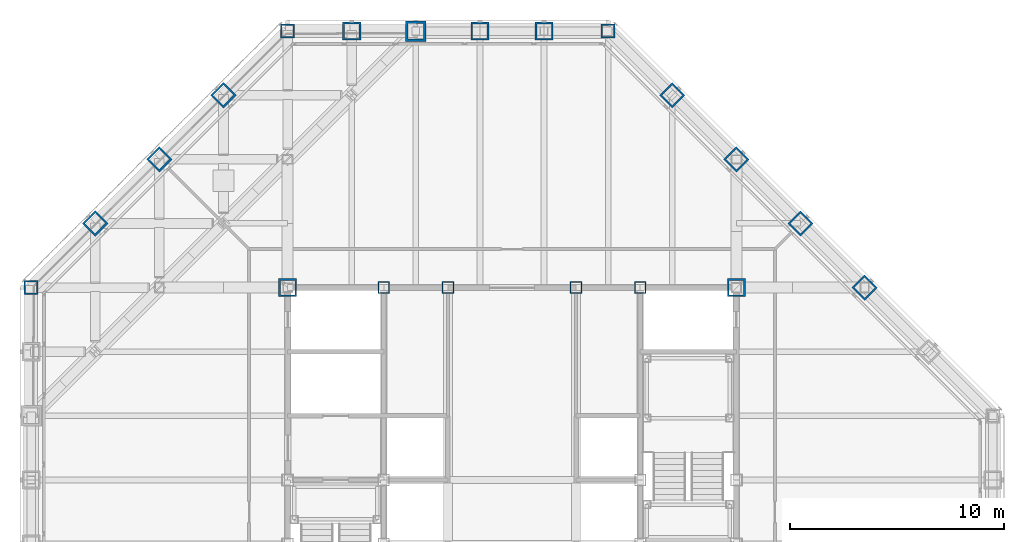
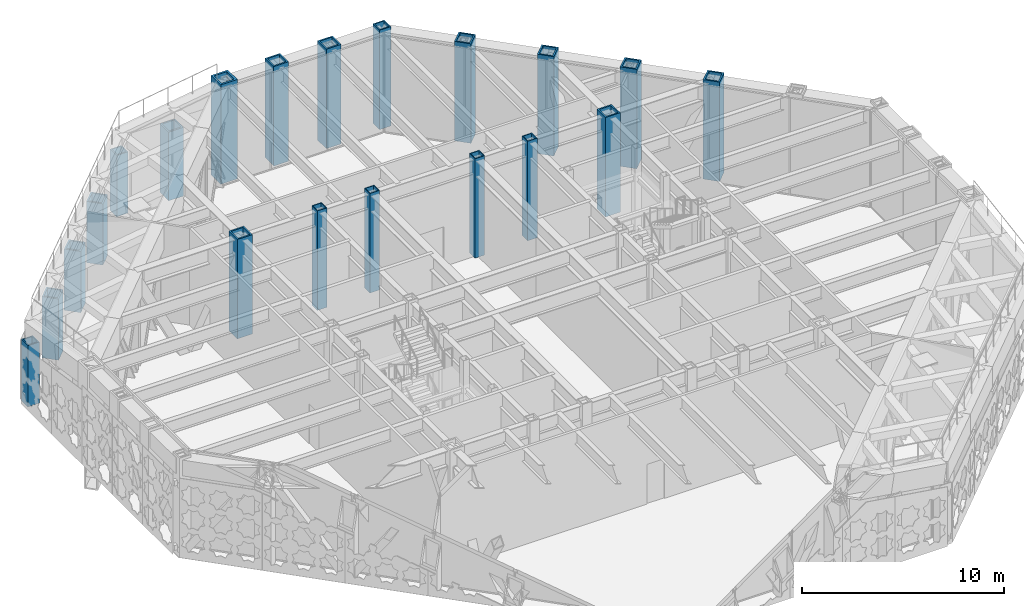
# One storey, part 4 of 29: 20 columns.
"""IFC4 building model written with IfcOpenShell, lengths in metres."""

from ifc_helpers import new_model, si_unit, direction, frame, origin, origin_2d, place, context, subcontext, project, spatial, hollow_rectangle, extrude, material, material_profile, profile_set, type_object, element, save


model = new_model("IFC4")

# Units and contexts
model_context = context("Model", 3, precision=1e-05, world=origin(), true_north=direction((0.0, 1.0)))
body_context = subcontext(model_context, "Body", "Model", "MODEL_VIEW")
ifc_project = project(units=[si_unit("LENGTHUNIT", "METRE"), si_unit("AREAUNIT", "SQUARE_METRE"), si_unit("VOLUMEUNIT", "CUBIC_METRE"), si_unit("PLANEANGLEUNIT", "RADIAN"), si_unit("MASSUNIT", "GRAM", prefix="KILO")], contexts=[model_context])

# Site, building, storey
site_placement = place(None, origin())
site = spatial("IfcSite", under=ifc_project, at=site_placement, CompositionType="ELEMENT")
building_placement = place(site_placement, origin())
building = spatial("IfcBuilding", under=site, at=building_placement, Name="Chuquiago Exchange Tower", CompositionType="ELEMENT")
storey_placement = place(building_placement, frame((0.0, 0.0, 251.699951171875)))
storey = spatial("IfcBuildingStorey", under=building, at=storey_placement, Name="L56", CompositionType="ELEMENT", Elevation=251.699951171875)

# Columns
ifc_material_1 = material(Name="Steel ASTM A572 Grade 50", Category="steel")
ifc_material_profile_1 = material_profile(ifc_material_1, hollow_rectangle(XDim=0.85009765625, YDim=0.85009765625, WallThickness=0.0849609375, at=origin_2d()), Name="BOX850X850X85")
ifc_profile_set_1 = profile_set([ifc_material_profile_1], Name="Steel ASTM A572 Grade 50")
column_type_1 = type_object("IfcColumnType", Name="C6 BOX850X850X85", PredefinedType="COLUMN", material=ifc_profile_set_1)
for number, where, z_axis, x_axis, name in (
    (1, (39.0, 33.0, 0.0), (0.0, 0.0, 1.0), (0.707106781187, 0.707106781187, 0.0), "COL-L56-39_33"),
    (2, (36.0, 36.0, 0.0), (0.0, 0.0, 1.0), (0.707106781187, 0.707106781187, 0.0), "COL-L56-36_36"),
    (3, (33.0, 39.0, 0.0), (0.0, 0.0, 1.0), (0.707106781187, 0.707106781187, 0.0), "COL-L56-33_39"),
    (4, (30.0, 42.0, 0.0), (0.0, 0.0, 1.0), (0.707106781187, 0.707106781187, 0.0), "COL-L56-30_42"),
    (5, (24.0, 45.0, 0.0), (0.0, 0.0, 1.0), (0.0, 1.0, 0.0), "COL-L56-24_45"),
    (6, (21.0, 45.0, 0.0), (0.0, 0.0, 1.0), (0.0, 1.0, 0.0), "COL-L56-21_45"),
):
    element("IfcColumn", number, at=place(storey_placement, frame(where, z_axis=z_axis, x_axis=x_axis)), inside=storey, type_object=column_type_1, Name=name, PredefinedType="COLUMN", context=body_context, shape_type="SweptSolid", body=[
        extrude(hollow_rectangle(XDim=0.85009765625, YDim=0.85009765625, WallThickness=0.0849609375, at=origin_2d()), origin(), (0.0, 0.0, 1.0), 6.0),
    ])
column_1_placement = place(storey_placement, frame((15.0, 45.0, 0.0), z_axis=(0.0, 0.0, 1.0), x_axis=(0.0, 1.0, 0.0)))
element("IfcColumn", 7, at=column_1_placement, inside=storey, type_object=column_type_1, Name="COL-L56-15_45", PredefinedType="COLUMN", context=body_context, shape_type="SweptSolid", body=[
    extrude(hollow_rectangle(XDim=0.85009765625, YDim=0.85009765625, WallThickness=0.0849609375, at=origin_2d()), origin(), (0.0, 0.0, 1.0), 4.149169921875),
])
for number, where, z_axis, x_axis, name in (
    (8, (9.0, 42.0, 0.0), (0.0, 0.0, 1.0), (-0.707106781187, 0.707106781187, 0.0), "COL-L56-9_42"),
    (9, (6.0, 39.0, 0.0), (0.0, 0.0, 1.0), (-0.707106781187, 0.707106781187, 0.0), "COL-L56-6_39"),
    (10, (3.0, 36.0, 0.0), (0.0, 0.0, 1.0), (-0.707106781187, 0.707106781187, 0.0), "COL-L56-3_36"),
):
    element("IfcColumn", number, at=place(storey_placement, frame(where, z_axis=z_axis, x_axis=x_axis)), inside=storey, type_object=column_type_1, Name=name, PredefinedType="COLUMN", context=body_context, shape_type="SweptSolid", body=[
        extrude(hollow_rectangle(XDim=0.85009765625, YDim=0.85009765625, WallThickness=0.0849609375, at=origin_2d()), origin(), (0.0, 0.0, 1.0), 3.6982421875),
    ])
ifc_material_2 = material(Name="Steel ASTM A572 Grade 50", Category="steel")
ifc_material_profile_2 = material_profile(ifc_material_2, hollow_rectangle(XDim=0.85009765625, YDim=0.85009765625, WallThickness=0.0849609375, at=origin_2d()), Name="BOX850X850X85")
ifc_profile_set_2 = profile_set([ifc_material_profile_2], Name="Steel ASTM A572 Grade 50")
column_type_2 = type_object("IfcColumnType", Name="CC6 BOX850X850X85", PredefinedType="COLUMN", material=ifc_profile_set_2)
for number, where, z_axis, x_axis, name in (
    (11, (12.0, 33.0, 0.0), (0.0, 0.0, 1.0), (1.0, 0.0, 0.0), "CCOL-L56-12_33"),
    (12, (33.0, 33.0, 0.0), (0.0, 0.0, 1.0), (1.0, 0.0, 0.0), "CCOL-L56-33_33"),
):
    element("IfcColumn", number, at=place(storey_placement, frame(where, z_axis=z_axis, x_axis=x_axis)), inside=storey, type_object=column_type_2, Name=name, PredefinedType="COLUMN", context=body_context, shape_type="SweptSolid", body=[
        extrude(hollow_rectangle(XDim=0.85009765625, YDim=0.85009765625, WallThickness=0.0849609375, at=origin_2d()), origin(), (0.0, 0.0, 1.0), 6.0),
    ])
ifc_material_3 = material(Name="Steel ASTM A572 Grade 50", Category="steel")
ifc_material_profile_3 = material_profile(ifc_material_3, hollow_rectangle(XDim=0.550048828125, YDim=0.550048828125, WallThickness=0.044921875, at=origin_2d()), Name="BOX550X550X45")
ifc_profile_set_3 = profile_set([ifc_material_profile_3], Name="Steel ASTM A572 Grade 50")
column_type_3 = type_object("IfcColumnType", Name="CC8 BOX550X550X45", PredefinedType="COLUMN", material=ifc_profile_set_3)
for number, where, z_axis, x_axis, name in (
    (13, (16.5, 33.0, 0.0), (0.0, 0.0, 1.0), (1.0, 0.0, 0.0), "CCOL-L56-16.5_33"),
    (14, (19.5, 33.0, 0.0), (0.0, 0.0, 1.0), (1.0, 0.0, 0.0), "CCOL-L56-19.5_33"),
    (15, (25.5, 33.0, 0.0), (0.0, 0.0, 1.0), (1.0, 0.0, 0.0), "CCOL-L56-25.5_33"),
    (16, (28.5, 33.0, 0.0), (0.0, 0.0, 1.0), (1.0, 0.0, 0.0), "CCOL-L56-28.5_33"),
):
    element("IfcColumn", number, at=place(storey_placement, frame(where, z_axis=z_axis, x_axis=x_axis)), inside=storey, type_object=column_type_3, Name=name, PredefinedType="COLUMN", context=body_context, shape_type="SweptSolid", body=[
        extrude(hollow_rectangle(XDim=0.550048828125, YDim=0.550048828125, WallThickness=0.044921875, at=origin_2d()), origin(), (0.0, 0.0, 1.0), 6.0),
    ])
ifc_material_4 = material(Name="Steel ASTM A572 Grade 50", Category="steel")
ifc_material_profile_4 = material_profile(ifc_material_4, hollow_rectangle(XDim=0.64990234375, YDim=0.64990234375, WallThickness=0.06494140625, at=origin_2d()), Name="BOX650X650X65")
ifc_profile_set_4 = profile_set([ifc_material_profile_4], Name="Steel ASTM A572 Grade 50")
column_type_4 = type_object("IfcColumnType", Name="CN2 BOX650X650X65", PredefinedType="COLUMN", material=ifc_profile_set_4)
column_2_placement = place(storey_placement, frame((27.0, 45.0, 0.0), z_axis=(0.0, 0.0, 1.0), x_axis=(0.0, 1.0, 0.0)))
element("IfcColumn", 17, at=column_2_placement, inside=storey, type_object=column_type_4, Name="COL-L56-27_45", PredefinedType="COLUMN", context=body_context, shape_type="SweptSolid", body=[
    extrude(hollow_rectangle(XDim=0.64990234375, YDim=0.64990234375, WallThickness=0.06494140625, at=origin_2d()), origin(), (0.0, 0.0, 1.0), 6.0),
])
for number, where, z_axis, x_axis, name in (
    (18, (12.0, 45.0, 0.0), (0.0, 0.0, 1.0), (0.0, 1.0, 0.0), "COL-L56-12_45"),
    (19, (0.0, 33.0, 0.0), (0.0, 0.0, 1.0), (-1.0, 0.0, 0.0), "COL-L56-0_33"),
):
    element("IfcColumn", number, at=place(storey_placement, frame(where, z_axis=z_axis, x_axis=x_axis)), inside=storey, type_object=column_type_4, Name=name, PredefinedType="COLUMN", context=body_context, shape_type="SweptSolid", body=[
        extrude(hollow_rectangle(XDim=0.64990234375, YDim=0.64990234375, WallThickness=0.06494140625, at=origin_2d()), origin(), (0.0, 0.0, 1.0), 3.6982421875),
    ])
ifc_material_5 = material(Name="Steel ASTM A572 Grade 42", Category="steel")
ifc_material_profile_5 = material_profile(ifc_material_5, hollow_rectangle(XDim=0.949951171875, YDim=0.949951171875, WallThickness=0.110107421875, at=origin_2d()), Name="BOX950X950X110")
ifc_profile_set_5 = profile_set([ifc_material_profile_5], Name="Steel ASTM A572 Grade 42")
column_type_5 = type_object("IfcColumnType", Name="CT1 BOX950X950X110", PredefinedType="COLUMN", material=ifc_profile_set_5)
column_3_placement = place(storey_placement, frame((18.0, 45.0, 0.0), z_axis=(0.0, 0.0, 1.0), x_axis=(0.0, 1.0, 0.0)))
element("IfcColumn", 20, at=column_3_placement, inside=storey, type_object=column_type_5, Name="COL-L56-18_45", PredefinedType="COLUMN", context=body_context, shape_type="SweptSolid", body=[
    extrude(hollow_rectangle(XDim=0.949951171875, YDim=0.949951171875, WallThickness=0.110107421875, at=origin_2d()), origin(), (0.0, 0.0, 1.0), 6.0),
])

save(model, "model.ifc")
